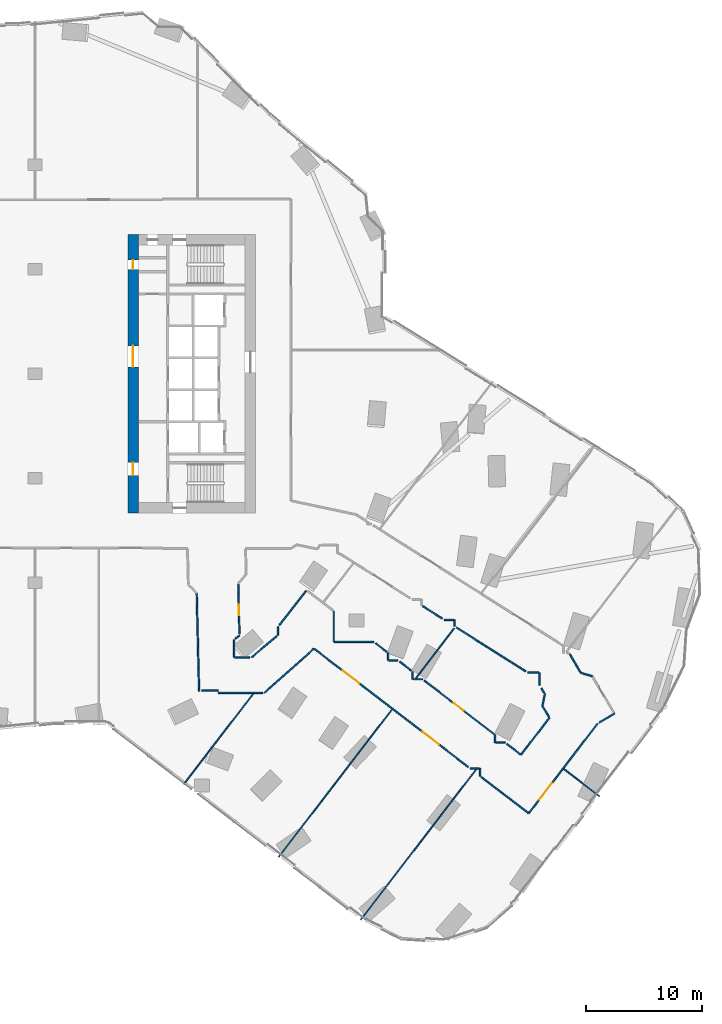
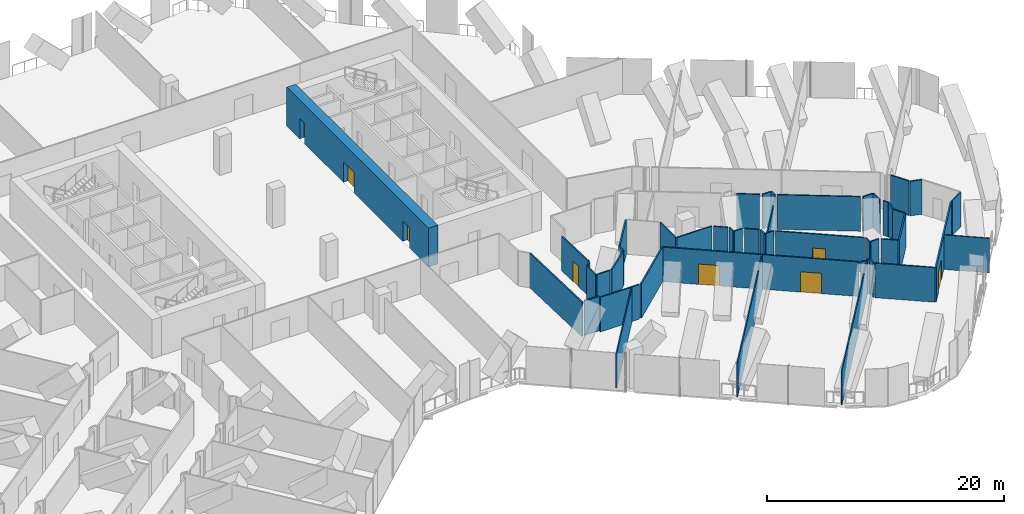
# One storey, part 26 of 32: 47 walls, 8 doors, 8 openings.
"""IFC4 building model written with IfcOpenShell, lengths in metres."""

from ifc_helpers import new_model, si_unit, direction, frame, frame_2d, origin, place, context, subcontext, project, spatial, rectangle, extrude, material, layer, layer_set, type_object, element, fill, save


model = new_model("IFC4")

# Units and contexts
model_context = context("Model", 3, precision=1e-05, world=origin(), true_north=direction((0.0, 1.0)))
body_context = subcontext(model_context, "Body", "Model", "MODEL_VIEW")
ifc_project = project(units=[si_unit("LENGTHUNIT", "METRE"), si_unit("AREAUNIT", "SQUARE_METRE"), si_unit("VOLUMEUNIT", "CUBIC_METRE"), si_unit("PLANEANGLEUNIT", "RADIAN"), si_unit("MASSUNIT", "GRAM", prefix="KILO")], contexts=[model_context])

# Site, building, storey
site_placement = place(None, origin())
site = spatial("IfcSite", under=ifc_project, at=site_placement, CompositionType="ELEMENT")
building_placement = place(site_placement, origin())
building = spatial("IfcBuilding", under=site, at=building_placement, Name="Orlundy Tower", CompositionType="ELEMENT")
storey_placement = place(building_placement, frame((0.0, 0.0, 33.300048828125)))
storey = spatial("IfcBuildingStorey", under=building, at=storey_placement, Name="L06", CompositionType="ELEMENT", Elevation=33.300048828125)

# Wall, openings, doors
ifc_material_1 = material(Name="Concrete C80/95", Category="concrete")
ifc_layer_1 = layer(ifc_material_1, 0.89990234375)
ifc_layer_set_1 = layer_set([ifc_layer_1], Name="CORE WALL 900 C80/95")
wall_type_1 = type_object("IfcWallType", Name="CORE WALL 900 C80/95", PredefinedType="SHEAR", material=ifc_layer_set_1)
wall_1_placement = place(storey_placement, frame((8.449951171875, -12.0, 0.0), z_axis=(0.0, 0.0, 1.0), x_axis=(0.0, 1.0, 0.0)))
wall_1 = element("IfcWall", 1, at=wall_1_placement, inside=storey, type_object=wall_type_1, Name="Core wall E-W L06", PredefinedType="SHEAR", context=body_context, shape_type="SweptSolid", body=[
    extrude(rectangle(XDim=24.0, YDim=0.89990234375, at=frame_2d((12.0, 0.0))), origin(), (0.0, 0.0, 1.0), 4.0),
])
opening_1_placement = place(wall_1_placement, frame((12.60009765625, 0.0, 0.0)))
opening_1 = element("IfcOpeningElement", 2, at=opening_1_placement, cuts=wall_1, Name="Opening 07058", PredefinedType="OPENING", context=body_context, shape_type="SweptSolid", body=[
    extrude(rectangle(XDim=1.800048828125, YDim=2.10009765625, at=frame_2d((0.89990234375, 1.050048828125))), frame((0.0, 0.4599609375, 0.0), z_axis=(0.0, -1.0, 0.0), x_axis=(1.0, 0.0, 0.0)), (0.0, 0.0, 1.0), 0.919921875),
])
opening_2_placement = place(wall_1_placement, frame((3.25, 0.0, 0.0)))
opening_2 = element("IfcOpeningElement", 3, at=opening_2_placement, cuts=wall_1, Name="Opening 07060", PredefinedType="OPENING", context=body_context, shape_type="SweptSolid", body=[
    extrude(rectangle(XDim=1.10009765625, YDim=2.10009765625, at=frame_2d((0.550048828125, 1.050048828125))), frame((0.0, 0.4599609375, 0.0), z_axis=(0.0, -1.0, 0.0), x_axis=(1.0, 0.0, 0.0)), (0.0, 0.0, 1.0), 0.919921875),
])
opening_3_placement = place(wall_1_placement, frame((21.0, 0.0, 0.0)))
opening_3 = element("IfcOpeningElement", 4, at=opening_3_placement, cuts=wall_1, Name="Opening 07065", PredefinedType="OPENING", context=body_context, shape_type="SweptSolid", body=[
    extrude(rectangle(XDim=0.800048828125, YDim=2.10009765625, at=frame_2d((0.39990234375, 1.050048828125))), frame((0.0, 0.4599609375, 0.0), z_axis=(0.0, -1.0, 0.0), x_axis=(1.0, 0.0, 0.0)), (0.0, 0.0, 1.0), 0.919921875),
])
ifc_material_2 = material(Name="Steel door set", Category="steel")
door_type_1 = type_object("IfcDoorType", Name="Fire-fighting Lobby Door 1100x2100", OperationType="SINGLE_SWING_LEFT", PredefinedType="DOOR", material=ifc_material_2)
door_1_placement = place(opening_2_placement, origin())
door_1 = element("IfcDoor", 5, at=door_1_placement, inside=storey, type_object=door_type_1, Name="Fire-fighting lobby door 07060", OperationType="SINGLE_SWING_LEFT", OverallHeight=2.10009765625, OverallWidth=1.10009765625, PredefinedType="DOOR", context=body_context, shape_type="SweptSolid", body=[
    extrude(rectangle(XDim=1.10009765625, YDim=2.10009765625, at=frame_2d((0.550048828125, 1.050048828125))), frame((0.0, 0.02490234375, 0.0), z_axis=(0.0, -1.0, 0.0), x_axis=(1.0, 0.0, 0.0)), (0.0, 0.0, 1.0), 0.050048828125),
])
fill(opening_2, door_1)
ifc_material_3 = material(Name="Timber door set", Category="wood")
door_type_2 = type_object("IfcDoorType", Name="Lobby Door 1800x2100", OperationType="DOUBLE_DOOR_DOUBLE_SWING", PredefinedType="DOOR", material=ifc_material_3)
door_2_placement = place(opening_1_placement, origin())
door_2 = element("IfcDoor", 6, at=door_2_placement, inside=storey, type_object=door_type_2, Name="Lift lobby door 07058", OperationType="SINGLE_SWING_RIGHT", OverallHeight=2.10009765625, OverallWidth=1.800048828125, PredefinedType="DOOR", context=body_context, shape_type="SweptSolid", body=[
    extrude(rectangle(XDim=1.800048828125, YDim=2.10009765625, at=frame_2d((0.89990234375, 1.050048828125))), frame((0.0, 0.02490234375, 0.0), z_axis=(0.0, -1.0, 0.0), x_axis=(1.0, 0.0, 0.0)), (0.0, 0.0, 1.0), 0.050048828125),
])
fill(opening_1, door_2)
ifc_material_4 = material(Name="Timber door set", Category="wood")
door_type_3 = type_object("IfcDoorType", Name="Riser Door 800x2100", OperationType="SINGLE_SWING_LEFT", PredefinedType="DOOR", material=ifc_material_4)
door_3_placement = place(opening_3_placement, origin())
door_3 = element("IfcDoor", 7, at=door_3_placement, inside=storey, type_object=door_type_3, Name="Door 07065", OperationType="SINGLE_SWING_RIGHT", OverallHeight=2.10009765625, OverallWidth=0.800048828125, PredefinedType="DOOR", context=body_context, shape_type="SweptSolid", body=[
    extrude(rectangle(XDim=0.800048828125, YDim=2.10009765625, at=frame_2d((0.39990234375, 1.050048828125))), frame((0.0, 0.02490234375, 0.0), z_axis=(0.0, -1.0, 0.0), x_axis=(1.0, 0.0, 0.0)), (0.0, 0.0, 1.0), 0.050048828125),
])
fill(opening_3, door_3)

# Walls
ifc_material_5 = material(Name="Gypsum board partition")
ifc_layer_2 = layer(ifc_material_5, 0.10009765625)
ifc_layer_set_2 = layer_set([ifc_layer_2], Name="Floor partition 100")
wall_type_2 = type_object("IfcWallType", Name="Floor partition 100", PredefinedType="PARTITIONING", material=ifc_layer_set_2)
wall_2_placement = place(storey_placement, frame((45.554931640625, -34.0390625, 0.0), z_axis=(0.0, 0.0, 1.0), x_axis=(0.793288869705, -0.608845439502, 0.0)))
element("IfcWall", 8, at=wall_2_placement, inside=storey, type_object=wall_type_2, Name="wall-int-L06-035", PredefinedType="PARTITIONING", context=body_context, shape_type="SweptSolid", body=[
    extrude(rectangle(XDim=3.8876953125, YDim=0.10009765625, at=frame_2d((1.94384765625, 0.0))), origin(), (0.0, 0.0, 1.0), 3.56005859375),
])
wall_3_placement = place(storey_placement, frame((28.053955078125, -47.051025390625, 0.0), z_axis=(0.0, 0.0, 1.0), x_axis=(0.608787965218, 0.793332977636, 0.0)))
element("IfcWall", 9, at=wall_3_placement, inside=storey, type_object=wall_type_2, Name="wall-int-L06-119", PredefinedType="PARTITIONING", context=body_context, shape_type="SweptSolid", body=[
    extrude(rectangle(XDim=16.347412109375, YDim=0.10009765625, at=frame_2d((8.173828125, 0.0))), origin(), (0.0, 0.0, 1.0), 3.56005859375),
])
wall_4_placement = place(storey_placement, frame((20.992919921875, -41.633056640625, 0.0), z_axis=(0.0, 0.0, 1.0), x_axis=(0.608805416173, 0.793319585816, 0.0)))
element("IfcWall", 10, at=wall_4_placement, inside=storey, type_object=wall_type_2, Name="wall-int-L06-121", PredefinedType="PARTITIONING", context=body_context, shape_type="SweptSolid", body=[
    extrude(rectangle(XDim=16.03662109375, YDim=0.10009765625, at=frame_2d((8.018310546875, 0.0))), origin(), (0.0, 0.0, 1.0), 3.56005859375),
])
wall_5_placement = place(storey_placement, frame((32.821044921875, -26.218994140625, 0.0), z_axis=(0.0, 0.0, 1.0), x_axis=(0.608776494461, 0.793341779936, 0.0)))
element("IfcWall", 11, at=wall_5_placement, inside=storey, type_object=wall_type_2, Name="wall-int-L06-122", PredefinedType="PARTITIONING", context=body_context, shape_type="SweptSolid", body=[
    extrude(rectangle(XDim=5.407470703125, YDim=0.10009765625, at=frame_2d((2.70361328125, 0.0))), origin(), (0.0, 0.0, 1.0), 3.56005859375),
])
wall_6_placement = place(storey_placement, frame((12.81689453125, -35.35888671875, 0.0), z_axis=(0.0, 0.0, 1.0), x_axis=(0.608752848143, 0.793359924547, 0.0)))
element("IfcWall", 12, at=wall_6_placement, inside=storey, type_object=wall_type_2, Name="wall-int-L06-124", PredefinedType="PARTITIONING", context=body_context, shape_type="SweptSolid", body=[
    extrude(rectangle(XDim=9.808837890625, YDim=0.10009765625, at=frame_2d((4.904296875, 0.0))), origin(), (0.0, 0.0, 1.0), 3.56005859375),
])
ifc_material_6 = material(Name="Gypsum board partition, double layer")
ifc_layer_3 = layer(ifc_material_6, 0.125)
ifc_layer_set_3 = layer_set([ifc_layer_3], Name="Floor partition 125")
wall_type_3 = type_object("IfcWallType", Name="Floor partition 125", PredefinedType="PARTITIONING", material=ifc_layer_set_3)
wall_7_placement = place(storey_placement, frame((13.927978515625, -18.903076171875, 0.0), z_axis=(0.0, 0.0, 1.0), x_axis=(0.024354856534, -0.999703376489, 0.0)))
element("IfcWall", 13, at=wall_7_placement, inside=storey, type_object=wall_type_3, Name="wall-int-L06-002", PredefinedType="PARTITIONING", context=body_context, shape_type="SweptSolid", body=[
    extrude(rectangle(XDim=8.46044921875, YDim=0.125, at=frame_2d((4.230224609375, 0.0))), origin(), (0.0, 0.0, 1.0), 3.56005859375),
])

# Wall, opening, door
wall_8_placement = place(storey_placement, frame((17.510986328125, -18.116943359375, 0.0), z_axis=(0.0, 0.0, 1.0), x_axis=(0.024298181428, -0.999704755605, 0.0)))
wall_8 = element("IfcWall", 14, at=wall_8_placement, inside=storey, type_object=wall_type_3, Name="wall-int-L06-003", PredefinedType="PARTITIONING", context=body_context, shape_type="SweptSolid", body=[
    extrude(rectangle(XDim=4.2802734375, YDim=0.125, at=frame_2d((2.14013671875, 0.0))), origin(), (0.0, 0.0, 1.0), 3.56005859375),
])
opening_4_placement = place(wall_8_placement, frame((1.78759765625, 0.0, 0.0)))
opening_4 = element("IfcOpeningElement", 15, at=opening_4_placement, cuts=wall_8, Name="Opening 07125", PredefinedType="OPENING", context=body_context, shape_type="SweptSolid", body=[
    extrude(rectangle(XDim=0.89990234375, YDim=2.10009765625, at=frame_2d((0.449951171875, 1.050048828125))), frame((0.0, 0.072509765625, 0.0), z_axis=(0.0, -1.0, 0.0), x_axis=(1.0, 0.0, 0.0)), (0.0, 0.0, 1.0), 0.14501953125),
])
ifc_material_7 = material(Name="Timber door leaf", Category="wood")
door_type_4 = type_object("IfcDoorType", Name="Floor door single 900 FD30S", OperationType="NOTDEFINED", PredefinedType="DOOR", material=ifc_material_7)
door_4_placement = place(opening_4_placement, origin())
door_4 = element("IfcDoor", 16, at=door_4_placement, inside=storey, type_object=door_type_4, Name="Door 07125", OperationType="SINGLE_SWING_RIGHT", OverallHeight=2.10009765625, OverallWidth=0.89990234375, PredefinedType="DOOR", context=body_context, shape_type="SweptSolid", body=[
    extrude(rectangle(XDim=0.89990234375, YDim=2.10009765625, at=frame_2d((0.449951171875, 1.050048828125))), frame((0.0, 0.02490234375, 0.0), z_axis=(0.0, -1.0, 0.0), x_axis=(1.0, 0.0, 0.0)), (0.0, 0.0, 1.0), 0.050048828125),
])
fill(opening_4, door_4)

# Walls
wall_9_placement = place(storey_placement, frame((43.631103515625, -27.097900390625, 0.0), z_axis=(0.0, 0.0, 1.0), x_axis=(0.511178490391, -0.859474578426, 0.0)))
element("IfcWall", 17, at=wall_9_placement, inside=storey, type_object=wall_type_3, Name="wall-int-L06-009", PredefinedType="PARTITIONING", context=body_context, shape_type="SweptSolid", body=[
    extrude(rectangle(XDim=0.52001953125, YDim=0.125, at=frame_2d((0.260009765625, 0.0))), origin(), (0.0, 0.0, 1.0), 3.56005859375),
])
wall_10_placement = place(storey_placement, frame((46.0791015625, -24.169921875, 0.0), z_axis=(0.0, 0.0, 1.0), x_axis=(0.511094498765, -0.859524527476, 0.0)))
element("IfcWall", 18, at=wall_10_placement, inside=storey, type_object=wall_type_3, Name="wall-int-L06-010", PredefinedType="PARTITIONING", context=body_context, shape_type="SweptSolid", body=[
    extrude(rectangle(XDim=1.7861328125, YDim=0.125, at=frame_2d((0.89306640625, 0.0))), origin(), (0.0, 0.0, 1.0), 3.56005859375),
])
wall_11_placement = place(storey_placement, frame((43.716064453125, -28.613037109375, 0.0), z_axis=(0.0, 0.0, 1.0), x_axis=(0.511956455833, -0.859011401165, 0.0)))
element("IfcWall", 19, at=wall_11_placement, inside=storey, type_object=wall_type_3, Name="wall-int-L06-012", PredefinedType="PARTITIONING", context=body_context, shape_type="SweptSolid", body=[
    extrude(rectangle(XDim=1.089599609375, YDim=0.125, at=frame_2d((0.544921875, 0.0))), origin(), (0.0, 0.0, 1.0), 3.56005859375),
])

# Wall, openings, doors
wall_12_placement = place(storey_placement, frame((37.3310546875, -33.876953125, 0.0), z_axis=(0.0, 0.0, 1.0), x_axis=(-0.793351723993, 0.608763535404, 0.0)))
wall_12 = element("IfcWall", 20, at=wall_12_placement, inside=storey, type_object=wall_type_3, Name="wall-int-L06-028", PredefinedType="PARTITIONING", context=body_context, shape_type="SweptSolid", body=[
    extrude(rectangle(XDim=16.686279296875, YDim=0.125, at=frame_2d((8.34326171875, 0.0))), origin(), (0.0, 0.0, 1.0), 3.56005859375),
])
opening_5_placement = place(wall_12_placement, frame((11.840087890625, 0.0, 0.0)))
opening_5 = element("IfcOpeningElement", 21, at=opening_5_placement, cuts=wall_12, Name="Opening 07106", PredefinedType="OPENING", context=body_context, shape_type="SweptSolid", body=[
    extrude(rectangle(XDim=1.800048828125, YDim=2.10009765625, at=frame_2d((0.89990234375, 1.050048828125))), frame((0.0, 0.072509765625, 0.0), z_axis=(0.0, -1.0, 0.0), x_axis=(1.0, 0.0, 0.0)), (0.0, 0.0, 1.0), 0.14501953125),
])
opening_6_placement = place(wall_12_placement, frame((3.16552734375, 0.0, 0.0)))
opening_6 = element("IfcOpeningElement", 22, at=opening_6_placement, cuts=wall_12, Name="Opening 07107", PredefinedType="OPENING", context=body_context, shape_type="SweptSolid", body=[
    extrude(rectangle(XDim=1.800048828125, YDim=2.10009765625, at=frame_2d((0.89990234375, 1.050048828125))), frame((0.0, 0.072509765625, 0.0), z_axis=(0.0, -1.0, 0.0), x_axis=(1.0, 0.0, 0.0)), (0.0, 0.0, 1.0), 0.14501953125),
])
ifc_material_8 = material(Name="Timber door leaf", Category="wood")
door_type_5 = type_object("IfcDoorType", Name="Floor door double 1800 FD30S", OperationType="NOTDEFINED", PredefinedType="DOOR", material=ifc_material_8)
door_5_placement = place(opening_5_placement, origin())
door_5 = element("IfcDoor", 23, at=door_5_placement, inside=storey, type_object=door_type_5, Name="Door 07106", OperationType="DOUBLE_DOOR_SINGLE_SWING", OverallHeight=2.10009765625, OverallWidth=1.800048828125, PredefinedType="DOOR", context=body_context, shape_type="SweptSolid", body=[
    extrude(rectangle(XDim=1.800048828125, YDim=2.10009765625, at=frame_2d((0.89990234375, 1.050048828125))), frame((0.0, 0.02490234375, 0.0), z_axis=(0.0, -1.0, 0.0), x_axis=(1.0, 0.0, 0.0)), (0.0, 0.0, 1.0), 0.050048828125),
])
fill(opening_5, door_5)
door_6_placement = place(opening_6_placement, origin())
door_6 = element("IfcDoor", 24, at=door_6_placement, inside=storey, type_object=door_type_5, Name="Door 07107", OperationType="DOUBLE_DOOR_SINGLE_SWING", OverallHeight=2.10009765625, OverallWidth=1.800048828125, PredefinedType="DOOR", context=body_context, shape_type="SweptSolid", body=[
    extrude(rectangle(XDim=1.800048828125, YDim=2.10009765625, at=frame_2d((0.89990234375, 1.050048828125))), frame((0.0, 0.02490234375, 0.0), z_axis=(0.0, -1.0, 0.0), x_axis=(1.0, 0.0, 0.0)), (0.0, 0.0, 1.0), 0.050048828125),
])
fill(opening_6, door_6)

# Walls
wall_13_placement = place(storey_placement, frame((38.4560546875, -34.739013671875, 0.0), z_axis=(0.0, 0.0, 1.0), x_axis=(0.79321861851, -0.608936961638, 0.0)))
element("IfcWall", 25, at=wall_13_placement, inside=storey, type_object=wall_type_3, Name="wall-int-L06-029", PredefinedType="PARTITIONING", context=body_context, shape_type="SweptSolid", body=[
    extrude(rectangle(XDim=5.079345703125, YDim=0.125, at=frame_2d((2.53955078125, 0.0))), origin(), (0.0, 0.0, 1.0), 3.56005859375),
])
wall_14_placement = place(storey_placement, frame((29.342041015625, -23.2080078125, 0.0), z_axis=(0.0, 0.0, 1.0), x_axis=(0.793416873322, -0.608678622204, 0.0)))
element("IfcWall", 26, at=wall_14_placement, inside=storey, type_object=wall_type_3, Name="wall-int-L06-031", PredefinedType="PARTITIONING", context=body_context, shape_type="SweptSolid", body=[
    extrude(rectangle(XDim=1.2236328125, YDim=0.125, at=frame_2d((0.61181640625, 0.0))), origin(), (0.0, 0.0, 1.0), 3.56005859375),
])
wall_15_placement = place(storey_placement, frame((31.41796875, -24.801025390625, 0.0), z_axis=(0.0, 0.0, 1.0), x_axis=(0.793393328304, -0.608709312071, 0.0)))
element("IfcWall", 27, at=wall_15_placement, inside=storey, type_object=wall_type_3, Name="wall-int-L06-032", PredefinedType="PARTITIONING", context=body_context, shape_type="SweptSolid", body=[
    extrude(rectangle(XDim=1.27294921875, YDim=0.125, at=frame_2d((0.636474609375, 0.0))), origin(), (0.0, 0.0, 1.0), 3.56005859375),
])

# Wall, opening, door
wall_16_placement = place(storey_placement, frame((33.533935546875, -26.426025390625, 0.0), z_axis=(0.0, 0.0, 1.0), x_axis=(0.793385739593, -0.60871920309, 0.0)))
wall_16 = element("IfcWall", 28, at=wall_16_placement, inside=storey, type_object=wall_type_3, Name="wall-int-L06-033", PredefinedType="PARTITIONING", context=body_context, shape_type="SweptSolid", body=[
    extrude(rectangle(XDim=7.571533203125, YDim=0.125, at=frame_2d((3.78564453125, 0.0))), origin(), (0.0, 0.0, 1.0), 3.56005859375),
])
opening_7_placement = place(wall_16_placement, frame((3.166015625, 0.0, 0.0)))
opening_7 = element("IfcOpeningElement", 29, at=opening_7_placement, cuts=wall_16, Name="Opening 07103", PredefinedType="OPENING", context=body_context, shape_type="SweptSolid", body=[
    extrude(rectangle(XDim=1.10009765625, YDim=2.10009765625, at=frame_2d((0.550048828125, 1.050048828125))), frame((0.0, 0.072509765625, 0.0), z_axis=(0.0, -1.0, 0.0), x_axis=(1.0, 0.0, 0.0)), (0.0, 0.0, 1.0), 0.14501953125),
])
ifc_material_9 = material(Name="Timber door leaf", Category="wood")
door_type_6 = type_object("IfcDoorType", Name="Floor door xwide 1100 FD30S", OperationType="NOTDEFINED", PredefinedType="DOOR", material=ifc_material_9)
door_7_placement = place(opening_7_placement, origin())
door_7 = element("IfcDoor", 30, at=door_7_placement, inside=storey, type_object=door_type_6, Name="Door 07103", OperationType="SINGLE_SWING_LEFT", OverallHeight=2.10009765625, OverallWidth=1.10009765625, PredefinedType="DOOR", context=body_context, shape_type="SweptSolid", body=[
    extrude(rectangle(XDim=1.10009765625, YDim=2.10009765625, at=frame_2d((0.550048828125, 1.050048828125))), frame((0.0, 0.02490234375, 0.0), z_axis=(0.0, -1.0, 0.0), x_axis=(1.0, 0.0, 0.0)), (0.0, 0.0, 1.0), 0.050048828125),
])
fill(opening_7, door_7)

# Walls
wall_17_placement = place(storey_placement, frame((40.64794921875, -31.883056640625, 0.0), z_axis=(0.0, 0.0, 1.0), x_axis=(0.792869496174, -0.609391468628, 0.0)))
element("IfcWall", 31, at=wall_17_placement, inside=storey, type_object=wall_type_3, Name="wall-int-L06-034", PredefinedType="PARTITIONING", context=body_context, shape_type="SweptSolid", body=[
    extrude(rectangle(XDim=1.478271484375, YDim=0.125, at=frame_2d((0.7392578125, 0.0))), origin(), (0.0, 0.0, 1.0), 3.56005859375),
])
wall_18_placement = place(storey_placement, frame((33.39990234375, -20.012939453125, 0.0), z_axis=(0.0, 0.0, 1.0), x_axis=(0.844693587084, -0.53525016949, 0.0)))
element("IfcWall", 32, at=wall_18_placement, inside=storey, type_object=wall_type_3, Name="wall-int-L06-038", PredefinedType="PARTITIONING", context=body_context, shape_type="SweptSolid", body=[
    extrude(rectangle(XDim=1.99365234375, YDim=0.125, at=frame_2d((0.996826171875, 0.0))), origin(), (0.0, 0.0, 1.0), 3.56005859375),
])
wall_19_placement = place(storey_placement, frame((36.31201171875, -21.85693359375, 0.0), z_axis=(0.0, 0.0, 1.0), x_axis=(0.844684518411, -0.535264480755, 0.0)))
element("IfcWall", 33, at=wall_19_placement, inside=storey, type_object=wall_type_3, Name="wall-int-L06-039", PredefinedType="PARTITIONING", context=body_context, shape_type="SweptSolid", body=[
    extrude(rectangle(XDim=7.0546875, YDim=0.125, at=frame_2d((3.52734375, 0.0))), origin(), (0.0, 0.0, 1.0), 3.56005859375),
])
wall_20_placement = place(storey_placement, frame((37.47802734375, -33.989013671875, 0.0), z_axis=(0.0, 0.0, 1.0), x_axis=(1.0, 0.0, 0.0)))
element("IfcWall", 34, at=wall_20_placement, inside=storey, type_object=wall_type_3, Name="wall-int-L06-050", PredefinedType="PARTITIONING", context=body_context, shape_type="SweptSolid", body=[
    extrude(rectangle(XDim=0.81396484375, YDim=0.125, at=frame_2d((0.406982421875, 0.0))), origin(), (0.0, 0.0, 1.0), 3.56005859375),
])
wall_21_placement = place(storey_placement, frame((39.7060546875, -31.77099609375, 0.0), z_axis=(0.0, 0.0, 1.0), x_axis=(1.0, 0.0, 0.0)))
element("IfcWall", 35, at=wall_21_placement, inside=storey, type_object=wall_type_3, Name="wall-int-L06-052", PredefinedType="PARTITIONING", context=body_context, shape_type="SweptSolid", body=[
    extrude(rectangle(XDim=0.7958984375, YDim=0.125, at=frame_2d((0.39794921875, 0.0))), origin(), (0.0, 0.0, 1.0), 3.56005859375),
])
wall_22_placement = place(storey_placement, frame((15.785888671875, -27.48388671875, 0.0), z_axis=(0.0, 0.0, 1.0), x_axis=(1.0, 0.0, 0.0)))
element("IfcWall", 36, at=wall_22_placement, inside=storey, type_object=wall_type_3, Name="wall-int-L06-057", PredefinedType="PARTITIONING", context=body_context, shape_type="SweptSolid", body=[
    extrude(rectangle(XDim=3.822021484375, YDim=0.125, at=frame_2d((1.9111328125, 0.0))), origin(), (0.0, 0.0, 1.0), 3.56005859375),
])
wall_23_placement = place(storey_placement, frame((14.35009765625, -27.2890625, 0.0), z_axis=(0.0, 0.0, 1.0), x_axis=(1.0, 0.0, 0.0)))
element("IfcWall", 37, at=wall_23_placement, inside=storey, type_object=wall_type_3, Name="wall-int-L06-058", PredefinedType="PARTITIONING", context=body_context, shape_type="SweptSolid", body=[
    extrude(rectangle(XDim=1.435791015625, YDim=0.125, at=frame_2d((0.7177734375, 0.0))), origin(), (0.0, 0.0, 1.0), 3.56005859375),
])
wall_24_placement = place(storey_placement, frame((32.593017578125, -26.31201171875, 0.0), z_axis=(0.0, 0.0, 1.0), x_axis=(1.0, 0.0, 0.0)))
element("IfcWall", 38, at=wall_24_placement, inside=storey, type_object=wall_type_3, Name="wall-int-L06-059", PredefinedType="PARTITIONING", context=body_context, shape_type="SweptSolid", body=[
    extrude(rectangle(XDim=0.794921875, YDim=0.125, at=frame_2d((0.3974609375, 0.0))), origin(), (0.0, 0.0, 1.0), 3.56005859375),
])
wall_25_placement = place(storey_placement, frame((42.452880859375, -25.748046875, 0.0), z_axis=(0.0, 0.0, 1.0), x_axis=(1.0, 0.0, 0.0)))
element("IfcWall", 39, at=wall_25_placement, inside=storey, type_object=wall_type_3, Name="wall-int-L06-060", PredefinedType="PARTITIONING", context=body_context, shape_type="SweptSolid", body=[
    extrude(rectangle(XDim=0.955078125, YDim=0.125, at=frame_2d((0.4775390625, 0.0))), origin(), (0.0, 0.0, 1.0), 3.56005859375),
])
wall_26_placement = place(storey_placement, frame((30.47705078125, -24.68798828125, 0.0), z_axis=(0.0, 0.0, 1.0), x_axis=(1.0, 0.0, 0.0)))
element("IfcWall", 40, at=wall_26_placement, inside=storey, type_object=wall_type_3, Name="wall-int-L06-061", PredefinedType="PARTITIONING", context=body_context, shape_type="SweptSolid", body=[
    extrude(rectangle(XDim=0.794921875, YDim=0.125, at=frame_2d((0.3974609375, 0.0))), origin(), (0.0, 0.0, 1.0), 3.56005859375),
])
wall_27_placement = place(storey_placement, frame((17.218017578125, -24.423095703125, 0.0), z_axis=(0.0, 0.0, 1.0), x_axis=(1.0, 0.0, 0.0)))
element("IfcWall", 41, at=wall_27_placement, inside=storey, type_object=wall_type_3, Name="wall-int-L06-063", PredefinedType="PARTITIONING", context=body_context, shape_type="SweptSolid", body=[
    extrude(rectangle(XDim=1.26806640625, YDim=0.125, at=frame_2d((0.634033203125, 0.0))), origin(), (0.0, 0.0, 1.0), 3.56005859375),
])
wall_28_placement = place(storey_placement, frame((25.802001953125, -23.094970703125, 0.0), z_axis=(0.0, 0.0, 1.0), x_axis=(1.0, 0.0, 0.0)))
element("IfcWall", 42, at=wall_28_placement, inside=storey, type_object=wall_type_3, Name="wall-int-L06-065", PredefinedType="PARTITIONING", context=body_context, shape_type="SweptSolid", body=[
    extrude(rectangle(XDim=3.39404296875, YDim=0.125, at=frame_2d((1.697021484375, 0.0))), origin(), (0.0, 0.0, 1.0), 3.56005859375),
])
wall_29_placement = place(storey_placement, frame((35.26611328125, -21.195068359375, 0.0), z_axis=(0.0, 0.0, 1.0), x_axis=(1.0, 0.0, 0.0)))
element("IfcWall", 43, at=wall_29_placement, inside=storey, type_object=wall_type_3, Name="wall-int-L06-068", PredefinedType="PARTITIONING", context=body_context, shape_type="SweptSolid", body=[
    extrude(rectangle(XDim=0.807861328125, YDim=0.125, at=frame_2d((0.40380859375, 0.0))), origin(), (0.0, 0.0, 1.0), 3.56005859375),
])
wall_30_placement = place(storey_placement, frame((48.64501953125, -30.031982421875, 0.0), z_axis=(0.0, 0.0, 1.0), x_axis=(0.859452253387, 0.511216024933, 0.0)))
element("IfcWall", 44, at=wall_30_placement, inside=storey, type_object=wall_type_3, Name="wall-int-L06-091", PredefinedType="PARTITIONING", context=body_context, shape_type="SweptSolid", body=[
    extrude(rectangle(XDim=1.490478515625, YDim=0.125, at=frame_2d((0.7451171875, 0.0))), origin(), (0.0, 0.0, 1.0), 3.56005859375),
])
wall_31_placement = place(storey_placement, frame((47.02392578125, -25.759033203125, 0.0), z_axis=(0.0, 0.0, 1.0), x_axis=(0.957936637973, -0.286979786099, 0.0)))
element("IfcWall", 45, at=wall_31_placement, inside=storey, type_object=wall_type_3, Name="wall-int-L06-092", PredefinedType="PARTITIONING", context=body_context, shape_type="SweptSolid", body=[
    extrude(rectangle(XDim=1.034423828125, YDim=0.125, at=frame_2d((0.51708984375, 0.0))), origin(), (0.0, 0.0, 1.0), 3.56005859375),
])
wall_32_placement = place(storey_placement, frame((43.716064453125, -28.613037109375, 0.0), z_axis=(0.0, 0.0, 1.0), x_axis=(0.205677625046, 0.978619800819, 0.0)))
element("IfcWall", 46, at=wall_32_placement, inside=storey, type_object=wall_type_3, Name="wall-int-L06-093", PredefinedType="PARTITIONING", context=body_context, shape_type="SweptSolid", body=[
    extrude(rectangle(XDim=1.03515625, YDim=0.125, at=frame_2d((0.517578125, 0.0))), origin(), (0.0, 0.0, 1.0), 3.56005859375),
])
wall_33_placement = place(storey_placement, frame((19.77197265625, -27.48388671875, 0.0), z_axis=(0.0, 0.0, 1.0), x_axis=(0.74538650379, 0.666632552436, 0.0)))
element("IfcWall", 47, at=wall_33_placement, inside=storey, type_object=wall_type_3, Name="wall-int-L06-113", PredefinedType="PARTITIONING", context=body_context, shape_type="SweptSolid", body=[
    extrude(rectangle(XDim=5.716552734375, YDim=0.125, at=frame_2d((2.8583984375, 0.0))), origin(), (0.0, 0.0, 1.0), 3.56005859375),
])
wall_34_placement = place(storey_placement, frame((18.657958984375, -24.423095703125, 0.0), z_axis=(0.0, 0.0, 1.0), x_axis=(0.76634618158, 0.642427840288, 0.0)))
element("IfcWall", 48, at=wall_34_placement, inside=storey, type_object=wall_type_3, Name="wall-int-L06-114", PredefinedType="PARTITIONING", context=body_context, shape_type="SweptSolid", body=[
    extrude(rectangle(XDim=2.8330078125, YDim=0.125, at=frame_2d((1.41650390625, 0.0))), origin(), (0.0, 0.0, 1.0), 3.56005859375),
])
wall_35_placement = place(storey_placement, frame((17.258056640625, -22.830078125, 0.0), z_axis=(0.0, 0.0, 1.0), x_axis=(0.764978484878, 0.644055834283, 0.0)))
element("IfcWall", 49, at=wall_35_placement, inside=storey, type_object=wall_type_3, Name="wall-int-L06-115", PredefinedType="PARTITIONING", context=body_context, shape_type="SweptSolid", body=[
    extrude(rectangle(XDim=0.470458984375, YDim=0.125, at=frame_2d((0.2353515625, 0.0))), origin(), (0.0, 0.0, 1.0), 3.56005859375),
])
wall_36_placement = place(storey_placement, frame((21.0439453125, -21.65087890625, 0.0), z_axis=(0.0, 0.0, 1.0), x_axis=(0.615694374495, 0.787985048853, 0.0)))
element("IfcWall", 50, at=wall_36_placement, inside=storey, type_object=wall_type_3, Name="wall-int-L06-116", PredefinedType="PARTITIONING", context=body_context, shape_type="SweptSolid", body=[
    extrude(rectangle(XDim=3.76513671875, YDim=0.125, at=frame_2d((1.882568359375, 0.0))), origin(), (0.0, 0.0, 1.0), 3.56005859375),
])

# Wall, opening, door
wall_37_placement = place(storey_placement, frame((48.47607421875, -30.1298828125, 0.0), z_axis=(0.0, 0.0, 1.0), x_axis=(-0.608819151361, -0.793309045036, 0.0)))
wall_37 = element("IfcWall", 51, at=wall_37_placement, inside=storey, type_object=wall_type_3, Name="wall-int-L06-117", PredefinedType="PARTITIONING", context=body_context, shape_type="SweptSolid", body=[
    extrude(rectangle(XDim=9.7568359375, YDim=0.125, at=frame_2d((4.87841796875, 0.0))), origin(), (0.0, 0.0, 1.0), 3.56005859375),
])
opening_8_placement = place(wall_37_placement, frame((6.4794921875, 0.0, 0.0)))
opening_8 = element("IfcOpeningElement", 52, at=opening_8_placement, cuts=wall_37, Name="Opening 07105", PredefinedType="OPENING", context=body_context, shape_type="SweptSolid", body=[
    extrude(rectangle(XDim=1.800048828125, YDim=2.10009765625, at=frame_2d((0.89990234375, 1.050048828125))), frame((0.0, 0.072509765625, 0.0), z_axis=(0.0, -1.0, 0.0), x_axis=(1.0, 0.0, 0.0)), (0.0, 0.0, 1.0), 0.14501953125),
])
door_8_placement = place(opening_8_placement, origin())
door_8 = element("IfcDoor", 53, at=door_8_placement, inside=storey, type_object=door_type_5, Name="Door 07105", OperationType="DOUBLE_DOOR_SINGLE_SWING", OverallHeight=2.10009765625, OverallWidth=1.800048828125, PredefinedType="DOOR", context=body_context, shape_type="SweptSolid", body=[
    extrude(rectangle(XDim=1.800048828125, YDim=2.10009765625, at=frame_2d((0.89990234375, 1.050048828125))), frame((0.0, 0.02490234375, 0.0), z_axis=(0.0, -1.0, 0.0), x_axis=(1.0, 0.0, 0.0)), (0.0, 0.0, 1.0), 0.050048828125),
])
fill(opening_8, door_8)

# Walls
wall_38_placement = place(storey_placement, frame((41.8720703125, -32.822021484375, 0.0), z_axis=(0.0, 0.0, 1.0), x_axis=(0.60869266474, 0.793406100236, 0.0)))
element("IfcWall", 54, at=wall_38_placement, inside=storey, type_object=wall_type_3, Name="wall-int-L06-118", PredefinedType="PARTITIONING", context=body_context, shape_type="SweptSolid", body=[
    extrude(rectangle(XDim=4.0234375, YDim=0.125, at=frame_2d((2.01171875, 0.0))), origin(), (0.0, 0.0, 1.0), 3.56005859375),
])
wall_39_placement = place(storey_placement, frame((43.470947265625, -26.830078125, 0.0), z_axis=(0.0, 0.0, 1.0), x_axis=(0.0, 1.0, 0.0)))
element("IfcWall", 55, at=wall_39_placement, inside=storey, type_object=wall_type_3, Name="wall-int-L06-132", PredefinedType="PARTITIONING", context=body_context, shape_type="SweptSolid", body=[
    extrude(rectangle(XDim=1.08203125, YDim=0.125, at=frame_2d((0.541015625, 0.0))), origin(), (0.0, 0.0, 1.0), 3.56005859375),
])
wall_40_placement = place(storey_placement, frame((39.64404296875, -31.77099609375, 0.0), z_axis=(0.0, 0.0, 1.0), x_axis=(0.0, 1.0, 0.0)))
element("IfcWall", 56, at=wall_40_placement, inside=storey, type_object=wall_type_3, Name="wall-int-L06-133", PredefinedType="PARTITIONING", context=body_context, shape_type="SweptSolid", body=[
    extrude(rectangle(XDim=0.658935546875, YDim=0.125, at=frame_2d((0.32958984375, 0.0))), origin(), (0.0, 0.0, 1.0), 3.56005859375),
])
wall_41_placement = place(storey_placement, frame((38.35498046875, -34.662109375, 0.0), z_axis=(0.0, 0.0, 1.0), x_axis=(0.0, 1.0, 0.0)))
element("IfcWall", 57, at=wall_41_placement, inside=storey, type_object=wall_type_3, Name="wall-int-L06-134", PredefinedType="PARTITIONING", context=body_context, shape_type="SweptSolid", body=[
    extrude(rectangle(XDim=0.673095703125, YDim=0.125, at=frame_2d((0.33642578125, 0.0))), origin(), (0.0, 0.0, 1.0), 3.56005859375),
])
wall_42_placement = place(storey_placement, frame((36.135986328125, -21.74609375, 0.0), z_axis=(0.0, 0.0, 1.0), x_axis=(0.0, 1.0, 0.0)))
element("IfcWall", 58, at=wall_42_placement, inside=storey, type_object=wall_type_3, Name="wall-int-L06-135", PredefinedType="PARTITIONING", context=body_context, shape_type="SweptSolid", body=[
    extrude(rectangle(XDim=0.551025390625, YDim=0.125, at=frame_2d((0.275390625, 0.0))), origin(), (0.0, 0.0, 1.0), 3.56005859375),
])
for number, where, z_axis, x_axis, name in (
    (59, (32.530029296875, -26.31201171875, 0.0), (0.0, 0.0, 1.0), (0.0, 1.0, 0.0), "wall-int-L06-137"),
    (60, (30.4140625, -24.68798828125, 0.0), (0.0, 0.0, 1.0), (0.0, 1.0, 0.0), "wall-int-L06-138"),
):
    element("IfcWall", number, at=place(storey_placement, frame(where, z_axis=z_axis, x_axis=x_axis)), inside=storey, type_object=wall_type_3, Name=name, PredefinedType="PARTITIONING", context=body_context, shape_type="SweptSolid", body=[
        extrude(rectangle(XDim=0.657958984375, YDim=0.125, at=frame_2d((0.3291015625, 0.0))), origin(), (0.0, 0.0, 1.0), 3.56005859375),
    ])
wall_43_placement = place(storey_placement, frame((25.739013671875, -23.094970703125, 0.0), z_axis=(0.0, 0.0, 1.0), x_axis=(0.0, 1.0, 0.0)))
element("IfcWall", 61, at=wall_43_placement, inside=storey, type_object=wall_type_3, Name="wall-int-L06-141", PredefinedType="PARTITIONING", context=body_context, shape_type="SweptSolid", body=[
    extrude(rectangle(XDim=2.65185546875, YDim=0.125, at=frame_2d((1.325927734375, 0.0))), origin(), (0.0, 0.0, 1.0), 3.56005859375),
])
wall_44_placement = place(storey_placement, frame((20.931884765625, -22.51708984375, 0.0), z_axis=(0.0, 0.0, 1.0), x_axis=(0.0, 1.0, 0.0)))
element("IfcWall", 62, at=wall_44_placement, inside=storey, type_object=wall_type_3, Name="wall-int-L06-144", PredefinedType="PARTITIONING", context=body_context, shape_type="SweptSolid", body=[
    extrude(rectangle(XDim=0.72314453125, YDim=0.125, at=frame_2d((0.361572265625, 0.0))), origin(), (0.0, 0.0, 1.0), 3.56005859375),
])
wall_45_placement = place(storey_placement, frame((17.155029296875, -24.423095703125, 0.0), z_axis=(0.0, 0.0, 1.0), x_axis=(0.0, 1.0, 0.0)))
element("IfcWall", 63, at=wall_45_placement, inside=storey, type_object=wall_type_3, Name="wall-int-L06-145", PredefinedType="PARTITIONING", context=body_context, shape_type="SweptSolid", body=[
    extrude(rectangle(XDim=1.507080078125, YDim=0.125, at=frame_2d((0.75341796875, 0.0))), origin(), (0.0, 0.0, 1.0), 3.56005859375),
])

save(model, "model.ifc")
